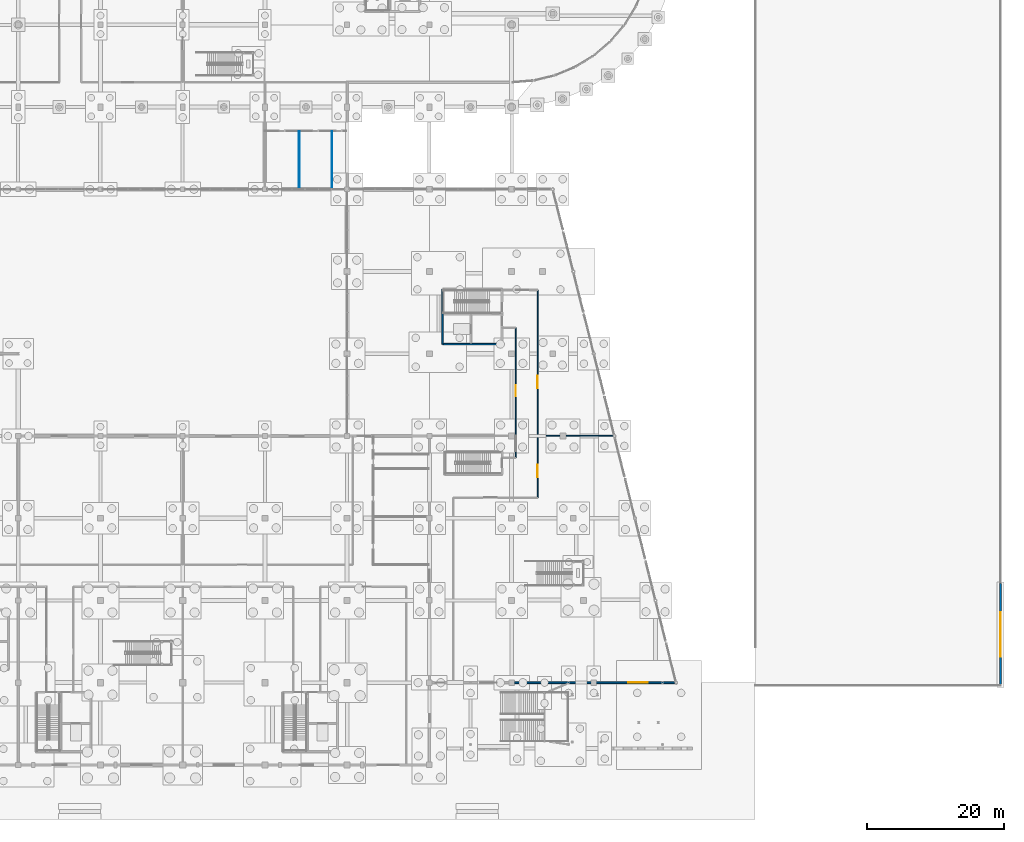
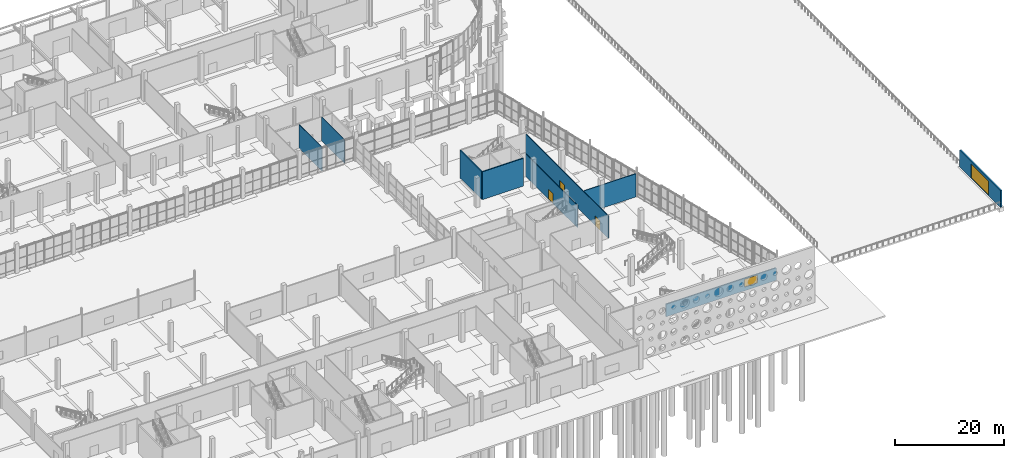
# One storey, part 91 of 117: 9 walls, 4 doors, 1 window, 5 openings.
"""IFC4 building model written with IfcOpenShell, lengths in metres."""

from ifc_helpers import new_model, si_unit, direction, frame, frame_2d, origin, place, context, subcontext, project, spatial, rectangle, extrude, material, layer, layer_set, type_object, element, fill, save


model = new_model("IFC4")

# Units and contexts
model_context = context("Model", 3, precision=1e-05, world=origin(), true_north=direction((0.0, 1.0)))
body_context = subcontext(model_context, "Body", "Model", "MODEL_VIEW")
ifc_project = project(units=[si_unit("LENGTHUNIT", "METRE"), si_unit("AREAUNIT", "SQUARE_METRE"), si_unit("VOLUMEUNIT", "CUBIC_METRE"), si_unit("PLANEANGLEUNIT", "RADIAN"), si_unit("MASSUNIT", "GRAM", prefix="KILO")], contexts=[model_context])

# Site, building, storey
site_placement = place(None, origin())
site = spatial("IfcSite", under=ifc_project, at=site_placement, CompositionType="ELEMENT")
building_placement = place(site_placement, origin())
building = spatial("IfcBuilding", under=site, at=building_placement, Name="Kamomehara Wholesale Market", CompositionType="ELEMENT")
storey_placement = place(building_placement, origin())
storey = spatial("IfcBuildingStorey", under=building, at=storey_placement, Name="L00", CompositionType="ELEMENT", Elevation=0.0)

# Wall, opening, window
ifc_material_1 = material(Name="Precast concrete Fc45 (C40/50)", Category="concrete")
ifc_layer_1 = layer(ifc_material_1, 0.260009765625)
ifc_layer_set_1 = layer_set([ifc_layer_1], Name="Precast concrete Fc45 (C40/50)")
wall_type_1 = type_object("IfcWallType", Name="EW-PC-260", PredefinedType="SOLIDWALL", material=ifc_layer_set_1)
wall_1_placement = place(storey_placement, frame((203.797119140625, 24.0, 0.0), z_axis=(0.0, 0.0, 1.0), x_axis=(-1.0, 0.0, 0.0)))
wall_1 = element("IfcWall", 1, at=wall_1_placement, inside=storey, type_object=wall_type_1, Name="Exterior wall EW-PC-260 129", PredefinedType="SOLIDWALL", context=body_context, shape_type="SweptSolid", body=[
    extrude(rectangle(XDim=23.397216796875, YDim=0.260009765625, at=frame_2d((11.69873046875, 0.0))), origin(), (0.0, 0.0, 1.0), 2.7900390625),
])
opening_1_placement = place(wall_1_placement, frame((3.947021484375, 0.0, 0.820068359375)))
opening_1 = element("IfcOpeningElement", 2, at=opening_1_placement, cuts=wall_1, Name="Opening WN-L00-040", PredefinedType="OPENING", context=body_context, shape_type="SweptSolid", body=[
    extrude(rectangle(XDim=2.800048828125, YDim=1.75, at=frame_2d((1.39990234375, 0.875))), frame((0.0, 0.14501953125, 0.0), z_axis=(0.0, -1.0, 0.0), x_axis=(1.0, 0.0, 0.0)), (0.0, 0.0, 1.0), 0.289794921875),
])
ifc_material_2 = material(Name="Solar-control Low-E double glazing", Category="glass")
window_type = type_object("IfcWindowType", Name="WIN-2800x1750", PartitioningType="SINGLE_PANEL", PredefinedType="WINDOW", material=ifc_material_2)
window_placement = place(opening_1_placement, origin())
window = element("IfcWindow", 3, at=window_placement, inside=storey, type_object=window_type, Name="Exterior window WN-L00-040", OverallHeight=1.75, OverallWidth=2.800048828125, PartitioningType="SINGLE_PANEL", PredefinedType="WINDOW", context=body_context, shape_type="SweptSolid", body=[
    extrude(rectangle(XDim=2.800048828125, YDim=1.75, at=frame_2d((1.39990234375, 0.875))), frame((0.0, 0.030029296875, 0.0), z_axis=(0.0, -1.0, 0.0), x_axis=(1.0, 0.0, 0.0)), (0.0, 0.0, 1.0), 0.06005859375),
])
fill(opening_1, window)

# Wall, opening, door
ifc_material_3 = material(Name="Precast concrete Fc45 (C40/50)", Category="concrete")
ifc_layer_2 = layer(ifc_material_3, 0.300048828125)
ifc_layer_set_2 = layer_set([ifc_layer_2], Name="Precast concrete Fc45 (C40/50)")
wall_type_2 = type_object("IfcWallType", Name="EW-PC-300", PredefinedType="SOLIDWALL", material=ifc_layer_set_2)
wall_2_placement = place(storey_placement, frame((251.35009765625, 38.5, 0.0), z_axis=(0.0, 0.0, 1.0), x_axis=(0.0, -1.0, 0.0)))
wall_2 = element("IfcWall", 4, at=wall_2_placement, inside=storey, type_object=wall_type_2, Name="Exterior wall EW-PC-300 137", PredefinedType="SOLIDWALL", context=body_context, shape_type="SweptSolid", body=[
    extrude(rectangle(XDim=15.0, YDim=0.300048828125, at=frame_2d((7.5, 0.0))), origin(), (0.0, 0.0, 1.0), 3.800048828125),
])
opening_2_placement = place(wall_2_placement, frame((4.199951171875, 0.0, 0.0)))
opening_2 = element("IfcOpeningElement", 5, at=opening_2_placement, cuts=wall_2, Name="Opening VG-CP-01", PredefinedType="OPENING", context=body_context, shape_type="SweptSolid", body=[
    extrude(rectangle(XDim=6.5, YDim=3.199951171875, at=frame_2d((3.25, 1.60009765625))), frame((0.0, 0.1650390625, 0.0), z_axis=(0.0, -1.0, 0.0), x_axis=(1.0, 0.0, 0.0)), (0.0, 0.0, 1.0), 0.329833984375),
])
ifc_material_4 = material(Name="Steel SN400B", Category="steel")
door_type_1 = type_object("IfcDoorType", Name="EDR-VG-6500x3200", OperationType="ROLLINGUP", PredefinedType="GATE", material=ifc_material_4)
door_1_placement = place(opening_2_placement, origin())
door_1 = element("IfcDoor", 6, at=door_1_placement, inside=storey, type_object=door_type_1, Name="Car park entry gate VG-CP-01", OperationType="ROLLINGUP", OverallHeight=3.199951171875, OverallWidth=6.5, PredefinedType="GATE", context=body_context, shape_type="SweptSolid", body=[
    extrude(rectangle(XDim=6.5, YDim=3.199951171875, at=frame_2d((3.25, 1.60009765625))), frame((0.0, 0.02490234375, 0.0), z_axis=(0.0, -1.0, 0.0), x_axis=(1.0, 0.0, 0.0)), (0.0, 0.0, 1.0), 0.050048828125),
])
fill(opening_2, door_1)

# Walls
ifc_material_5 = material(Name="Gypsum board partition")
ifc_layer_3 = layer(ifc_material_5, 0.125)
ifc_layer_set_3 = layer_set([ifc_layer_3], Name="Gypsum board partition")
wall_type_3 = type_object("IfcWallType", Name="IW-PRT-125", PredefinedType="PARTITIONING", material=ifc_layer_set_3)
for number, where, z_axis, x_axis, name in (
    (7, (149.0, 96.0400390625, 0.0), (0.0, 0.0, 1.0), (0.0, 1.0, 0.0), "Interior wall IW-PRT-125 225"),
    (8, (153.800048828125, 96.0400390625, 0.0), (0.0, 0.0, 1.0), (0.0, 1.0, 0.0), "Interior wall IW-PRT-125 226"),
):
    element("IfcWall", number, at=place(storey_placement, frame(where, z_axis=z_axis, x_axis=x_axis)), inside=storey, type_object=wall_type_3, Name=name, PredefinedType="PARTITIONING", context=body_context, shape_type="SweptSolid", body=[
        extrude(rectangle(XDim=8.4599609375, YDim=0.125, at=frame_2d((4.22998046875, 0.0))), origin(), (0.0, 0.0, 1.0), 5.31298828125),
    ])

# Wall, opening, door
ifc_material_6 = material(Name="Gypsum board partition")
ifc_layer_4 = layer(ifc_material_6, 0.14990234375)
ifc_layer_set_4 = layer_set([ifc_layer_4], Name="Gypsum board partition")
wall_type_4 = type_object("IfcWallType", Name="IW-PRT-150", PredefinedType="PARTITIONING", material=ifc_layer_set_4)
wall_3_placement = place(storey_placement, frame((180.60009765625, 56.800048828125, 0.0), z_axis=(0.0, 0.0, 1.0), x_axis=(0.0, 1.0, 0.0)))
wall_3 = element("IfcWall", 9, at=wall_3_placement, inside=storey, type_object=wall_type_4, Name="Interior wall IW-PRT-150 271", PredefinedType="PARTITIONING", context=body_context, shape_type="SweptSolid", body=[
    extrude(rectangle(XDim=19.0, YDim=0.14990234375, at=frame_2d((9.5, 0.0))), origin(), (0.0, 0.0, 1.0), 5.032958984375),
])
opening_3_placement = place(wall_3_placement, frame((9.0, 0.0, 0.0)))
opening_3 = element("IfcOpeningElement", 10, at=opening_3_placement, cuts=wall_3, Name="Opening ID-L00-165", PredefinedType="OPENING", context=body_context, shape_type="SweptSolid", body=[
    extrude(rectangle(XDim=1.60009765625, YDim=2.199951171875, at=frame_2d((0.800048828125, 1.10009765625))), frame((0.0, 0.08984375, 0.0), z_axis=(0.0, -1.0, 0.0), x_axis=(1.0, 0.0, 0.0)), (0.0, 0.0, 1.0), 0.1796875),
])
ifc_material_7 = material(Name="Steel SN400B", Category="steel")
door_type_2 = type_object("IfcDoorType", Name="IDR-FD-1600x2200", OperationType="NOTDEFINED", PredefinedType="DOOR", material=ifc_material_7)
door_2_placement = place(opening_3_placement, origin())
door_2 = element("IfcDoor", 11, at=door_2_placement, inside=storey, type_object=door_type_2, Name="Interior door ID-L00-165", OperationType="SINGLE_SWING_LEFT", OverallHeight=2.199951171875, OverallWidth=1.60009765625, PredefinedType="DOOR", context=body_context, shape_type="SweptSolid", body=[
    extrude(rectangle(XDim=1.60009765625, YDim=2.199951171875, at=frame_2d((0.800048828125, 1.10009765625))), frame((0.0, 0.02490234375, 0.0), z_axis=(0.0, -1.0, 0.0), x_axis=(1.0, 0.0, 0.0)), (0.0, 0.0, 1.0), 0.050048828125),
])
fill(opening_3, door_2)

# Wall, openings, doors
wall_4_placement = place(storey_placement, frame((183.800048828125, 51.0, 0.0), z_axis=(0.0, 0.0, 1.0), x_axis=(0.0, 1.0, 0.0)))
wall_4 = element("IfcWall", 12, at=wall_4_placement, inside=storey, type_object=wall_type_4, Name="Interior wall IW-PRT-150 274", PredefinedType="PARTITIONING", context=body_context, shape_type="SweptSolid", body=[
    extrude(rectangle(XDim=30.300048828125, YDim=0.14990234375, at=frame_2d((15.14990234375, 0.0))), origin(), (0.0, 0.0, 1.0), 5.032958984375),
])
opening_4_placement = place(wall_4_placement, frame((3.0, 0.0, 0.0)))
opening_4 = element("IfcOpeningElement", 13, at=opening_4_placement, cuts=wall_4, Name="Opening ID-L00-167", PredefinedType="OPENING", context=body_context, shape_type="SweptSolid", body=[
    extrude(rectangle(XDim=1.800048828125, YDim=2.199951171875, at=frame_2d((0.89990234375, 1.10009765625))), frame((0.0, 0.08984375, 0.0), z_axis=(0.0, -1.0, 0.0), x_axis=(1.0, 0.0, 0.0)), (0.0, 0.0, 1.0), 0.1796875),
])
opening_5_placement = place(wall_4_placement, frame((16.0, 0.0, 0.0)))
opening_5 = element("IfcOpeningElement", 14, at=opening_5_placement, cuts=wall_4, Name="Opening ID-L00-168", PredefinedType="OPENING", context=body_context, shape_type="SweptSolid", body=[
    extrude(rectangle(XDim=1.800048828125, YDim=2.199951171875, at=frame_2d((0.89990234375, 1.10009765625))), frame((0.0, 0.08984375, 0.0), z_axis=(0.0, -1.0, 0.0), x_axis=(1.0, 0.0, 0.0)), (0.0, 0.0, 1.0), 0.1796875),
])
ifc_material_8 = material(Name="Steel SN400B", Category="steel")
door_type_3 = type_object("IfcDoorType", Name="IDR-FD-1800x2200", OperationType="NOTDEFINED", PredefinedType="DOOR", material=ifc_material_8)
door_3_placement = place(opening_4_placement, origin())
door_3 = element("IfcDoor", 15, at=door_3_placement, inside=storey, type_object=door_type_3, Name="Interior door ID-L00-167", OperationType="SINGLE_SWING_LEFT", OverallHeight=2.199951171875, OverallWidth=1.800048828125, PredefinedType="DOOR", context=body_context, shape_type="SweptSolid", body=[
    extrude(rectangle(XDim=1.800048828125, YDim=2.199951171875, at=frame_2d((0.89990234375, 1.10009765625))), frame((0.0, 0.02490234375, 0.0), z_axis=(0.0, -1.0, 0.0), x_axis=(1.0, 0.0, 0.0)), (0.0, 0.0, 1.0), 0.050048828125),
])
fill(opening_4, door_3)
door_4_placement = place(opening_5_placement, origin())
door_4 = element("IfcDoor", 16, at=door_4_placement, inside=storey, type_object=door_type_3, Name="Interior door ID-L00-168", OperationType="SINGLE_SWING_RIGHT", OverallHeight=2.199951171875, OverallWidth=1.800048828125, PredefinedType="DOOR", context=body_context, shape_type="SweptSolid", body=[
    extrude(rectangle(XDim=1.800048828125, YDim=2.199951171875, at=frame_2d((0.89990234375, 1.10009765625))), frame((0.0, 0.02490234375, 0.0), z_axis=(0.0, -1.0, 0.0), x_axis=(1.0, 0.0, 0.0)), (0.0, 0.0, 1.0), 0.050048828125),
])
fill(opening_5, door_4)

# Walls
wall_5_placement = place(storey_placement, frame((183.800048828125, 60.0, 0.0), z_axis=(0.0, 0.0, 1.0), x_axis=(1.0, 0.0, 0.0)))
element("IfcWall", 17, at=wall_5_placement, inside=storey, type_object=wall_type_4, Name="Interior wall IW-PRT-150 276", PredefinedType="PARTITIONING", context=body_context, shape_type="SweptSolid", body=[
    extrude(rectangle(XDim=10.97998046875, YDim=0.14990234375, at=frame_2d((5.489990234375, 0.0))), origin(), (0.0, 0.0, 1.0), 5.23291015625),
])
ifc_material_9 = material(Name="Concrete Fc36 (C35/45)", Category="concrete")
ifc_layer_5 = layer(ifc_material_9, 0.239990234375)
ifc_layer_set_5 = layer_set([ifc_layer_5], Name="Concrete Fc36 (C35/45)")
wall_type_5 = type_object("IfcWallType", Name="IW-SHR-240", PredefinedType="SHEAR", material=ifc_layer_set_5)
wall_6_placement = place(storey_placement, frame((169.929931640625, 81.419921875, 0.0), z_axis=(0.0, 0.0, 1.0), x_axis=(0.0, -1.0, 0.0)))
element("IfcWall", 18, at=wall_6_placement, inside=storey, type_object=wall_type_5, Name="Interior wall IW-SHR-240 134", PredefinedType="SHEAR", context=body_context, shape_type="SweptSolid", body=[
    extrude(rectangle(XDim=8.02001953125, YDim=0.239990234375, at=frame_2d((4.010009765625, 0.0))), origin(), (0.0, 0.0, 1.0), 6.25),
])
wall_7_placement = place(storey_placement, frame((169.929931640625, 73.39990234375, 0.0), z_axis=(0.0, 0.0, 1.0), x_axis=(1.0, 0.0, 0.0)))
element("IfcWall", 19, at=wall_7_placement, inside=storey, type_object=wall_type_5, Name="Interior wall IW-SHR-240 135", PredefinedType="SHEAR", context=body_context, shape_type="SweptSolid", body=[
    extrude(rectangle(XDim=8.670166015625, YDim=0.239990234375, at=frame_2d((4.3349609375, 0.0))), origin(), (0.0, 0.0, 1.0), 6.25),
])

save(model, "model.ifc")
